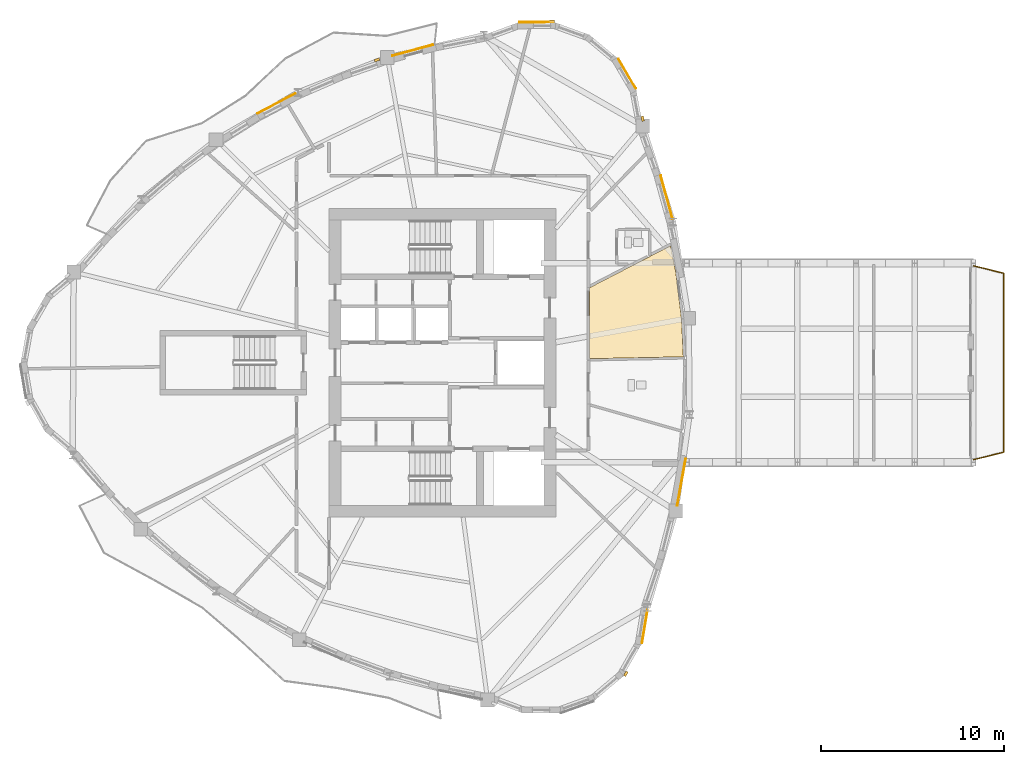
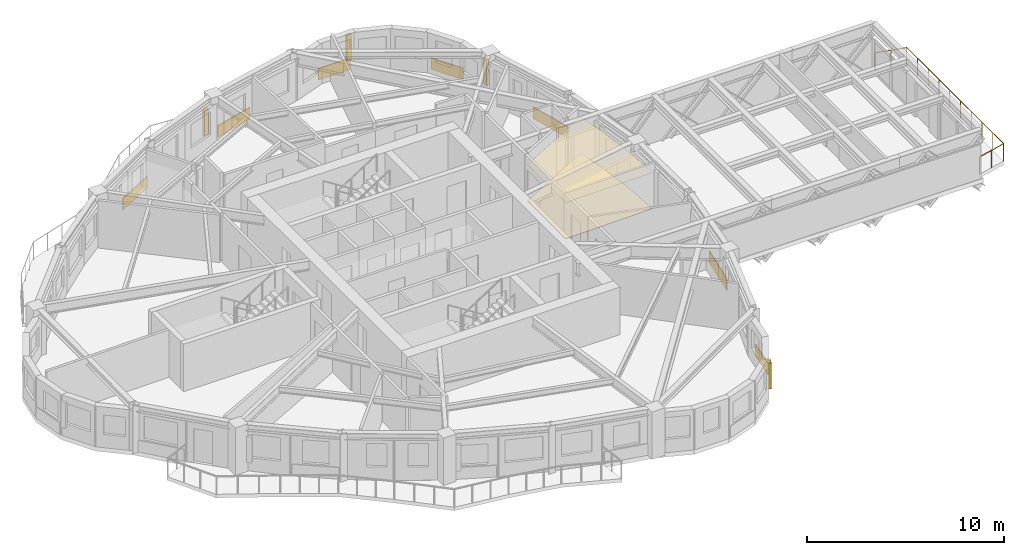
# One storey, part 12 of 13: 9 coverings, 4 shading devices, 1 railing.
"""IFC4 building model written with IfcOpenShell, lengths in metres."""

from ifc_helpers import new_model, si_unit, direction, frame, origin, origin_2d, place, context, subcontext, project, spatial, polyline, rectangle, circle, outline, extrude, source, transform, mapped, material, layer, layer_set, type_object, element, save


model = new_model("IFC4")

# Units and contexts
model_context = context("Model", 3, precision=1e-05, world=origin(), true_north=direction((0.0, 1.0)))
body_context = subcontext(model_context, "Body", "Model", "MODEL_VIEW")
ifc_project = project(units=[si_unit("LENGTHUNIT", "METRE"), si_unit("AREAUNIT", "SQUARE_METRE"), si_unit("VOLUMEUNIT", "CUBIC_METRE"), si_unit("PLANEANGLEUNIT", "RADIAN"), si_unit("MASSUNIT", "GRAM", prefix="KILO")], contexts=[model_context])

# Site, building, storey
site_placement = place(None, origin())
site = spatial("IfcSite", under=ifc_project, at=site_placement, CompositionType="ELEMENT")
building_placement = place(site_placement, origin())
building = spatial("IfcBuilding", under=site, at=building_placement, Name="Qafzar Sky-Pleat Residences", CompositionType="ELEMENT")
storey_placement = place(building_placement, frame((0.0, 0.0, 155.39990234375)))
storey = spatial("IfcBuildingStorey", under=building, at=storey_placement, Name="L46", CompositionType="ELEMENT", Elevation=155.39990234375)

# Coverings
ifc_material_1 = material(Name="Perforated acoustic gypsum board ceiling")
ifc_layer_1 = layer(ifc_material_1, 0.02001953125)
ifc_layer_set_1 = layer_set([ifc_layer_1], Name="Perforated acoustic gypsum board ceiling")
covering_type_1 = type_object("IfcCoveringType", Name="COV-CEIL-ACOUSTIC", PredefinedType="CEILING", material=ifc_layer_set_1)
covering_1_placement = place(storey_placement, frame((0.0, 0.0, 2.239990234375)))
element("IfcCovering", 1, at=covering_1_placement, inside=storey, type_object=covering_type_1, Name="L46 Co-Living Lounge Acoustic Ceiling", PredefinedType="CEILING", context=body_context, shape_type="SweptSolid", body=[
    extrude(outline(polyline([(43.104736328125, 31.0078125), (43.42724609375, 28.40478515625), (43.5263671875, 26.322998046875), (38.389892578125, 26.220458984375), (38.389892578125, 30.101318359375), (42.825927734375, 32.401611328125), (43.104736328125, 31.0078125)])), origin(), (0.0, 0.0, 1.0), 0.02001953125),
])
ifc_material_2 = material(Name="Honed porcelain and Riyadh stone tile flooring", Category="masonry")
ifc_layer_2 = layer(ifc_material_2, 0.02001953125)
ifc_layer_set_2 = layer_set([ifc_layer_2], Name="Honed porcelain and Riyadh stone tile flooring")
covering_type_2 = type_object("IfcCoveringType", Name="COV-FLR-PORCELAIN", PredefinedType="FLOORING", material=ifc_layer_set_2)
covering_2_placement = place(storey_placement, origin())
element("IfcCovering", 2, at=covering_2_placement, inside=storey, type_object=covering_type_2, Name="L46 Co-Living Lounge Honed Stone Flooring", PredefinedType="FLOORING", context=body_context, shape_type="SweptSolid", body=[
    extrude(outline(polyline([(43.104736328125, 31.0078125), (43.42724609375, 28.40478515625), (43.5263671875, 26.322998046875), (38.389892578125, 26.220458984375), (38.389892578125, 30.101318359375), (42.825927734375, 32.401611328125), (43.104736328125, 31.0078125)])), origin(), (0.0, 0.0, 1.0), 0.02001953125),
])

# Shading devices
ifc_material_3 = material(Name="Honed Riyadh limestone solar fin", Category="masonry")
ifc_layer_3 = layer(ifc_material_3, 0.139892578125)
ifc_layer_set_3 = layer_set([ifc_layer_3], Name="Honed Riyadh limestone solar fin")
shading_device_type = type_object("IfcShadingDeviceType", Name="SHD-FIN-STONE", PredefinedType="SHUTTER", material=ifc_layer_set_3)
shared_shape_1 = source(origin(), body_context, "Body", "SweptSolid", [
    extrude(rectangle(XDim=0.139892578125, YDim=0.280029296875, at=origin_2d()), origin(), (0.0, 0.0, 1.0), 1.60009765625),
])
for number, where, z_axis, x_axis, name in (
    (3, (40.382080078125, 8.986572265625, 0.60009765625), (0.0, 0.0, 1.0), (0.86842169793, -0.495826335086, 0.0), "L46 Limestone Solar Fin 21"),
    (4, (41.303955078125, 39.34912109375, 0.60009765625), (0.0, 0.0, 1.0), (0.983236665958, 0.182333920912, 0.0), "L46 Limestone Solar Fin 33"),
    (5, (36.347412109375, 44.678466796875, 0.60009765625), (0.0, 0.0, 1.0), (-0.002393888715, 0.999997134644, 0.0), "L46 Limestone Solar Fin 37"),
    (6, (26.76708984375, 42.565185546875, 0.60009765625), (0.0, 0.0, 1.0), (-0.329563194249, 0.944133518628, 0.0), "L46 Limestone Solar Fin 41"),
):
    element("IfcShadingDevice", number, at=place(storey_placement, frame(where, z_axis=z_axis, x_axis=x_axis)), inside=storey, type_object=shading_device_type, Name=name, PredefinedType="SHUTTER", context=body_context, shape_type="MappedRepresentation", body=[
        mapped(shared_shape_1, transform((0.0, 0.0, 0.0), x_axis=(1.0, 0.0, 0.0), y_axis=(0.0, 1.0, 0.0), z_axis=(0.0, 0.0, 1.0), scale=1.0)),
    ])

# Coverings
ifc_material_4 = material(Name="Honed Riyadh Tuwaiq limestone cladding", Category="masonry")
ifc_layer_4 = layer(ifc_material_4, 0.044921875)
ifc_layer_set_4 = layer_set([ifc_layer_4], Name="Honed Riyadh Tuwaiq limestone cladding")
covering_type_3 = type_object("IfcCoveringType", Name="COV-CLAD-STONE", PredefinedType="CLADDING", material=ifc_layer_set_4)
shared_shape_2 = source(origin(), body_context, "Body", "SweptSolid", [
    extrude(rectangle(XDim=1.873046875, YDim=0.044921875, at=origin_2d()), origin(), (0.0, 0.0, 1.0), 0.719970703125),
])
for number, where, z_axis, x_axis, name in (
    (7, (40.456787109375, 41.802001953125, 0.02001953125), (0.0, 0.0, 1.0), (-0.506268159892, 0.862376107206, 0.0), "L46 Riyadh Limestone Spandrel Cladding 34"),
    (8, (35.497314453125, 44.63330078125, 0.02001953125), (0.0, 0.0, 1.0), (-0.999997113828, -0.002402568631, 0.0), "L46 Riyadh Limestone Spandrel Cladding 37"),
):
    element("IfcCovering", number, at=place(storey_placement, frame(where, z_axis=z_axis, x_axis=x_axis)), inside=storey, type_object=covering_type_3, Name=name, PredefinedType="CLADDING", context=body_context, shape_type="MappedRepresentation", body=[
        mapped(shared_shape_2, transform((0.0, 0.0, 0.0), x_axis=(1.0, 0.0, 0.0), y_axis=(0.0, 1.0, 0.0), z_axis=(0.0, 0.0, 1.0), scale=1.0)),
    ])
shared_shape_3 = source(origin(), body_context, "Body", "SweptSolid", [
    extrude(rectangle(XDim=1.845703125, YDim=0.044921875, at=origin_2d()), origin(), (0.0, 0.0, 1.0), 0.719970703125),
])
covering_3_placement = place(storey_placement, frame((41.414306640625, 11.5703125, 0.02001953125), z_axis=(0.0, 0.0, 1.0), x_axis=(0.165656211386, 0.986183562847, 0.0)))
element("IfcCovering", 9, at=covering_3_placement, inside=storey, type_object=covering_type_3, Name="L46 Riyadh Limestone Spandrel Cladding 22", PredefinedType="CLADDING", context=body_context, shape_type="MappedRepresentation", body=[
    mapped(shared_shape_3, transform((0.0, 0.0, 0.0), x_axis=(1.0, 0.0, 0.0), y_axis=(0.0, 1.0, 0.0), z_axis=(0.0, 0.0, 1.0), scale=1.0)),
])
shared_shape_4 = source(origin(), body_context, "Body", "SweptSolid", [
    extrude(rectangle(XDim=2.61669921875, YDim=0.044921875, at=origin_2d()), origin(), (0.0, 0.0, 1.0), 0.719970703125),
])
covering_4_placement = place(storey_placement, frame((43.42333984375, 19.4697265625, 0.02001953125), z_axis=(0.0, 0.0, 1.0), x_axis=(0.177174987341, 0.984179365695, 0.0)))
element("IfcCovering", 10, at=covering_4_placement, inside=storey, type_object=covering_type_3, Name="L46 Riyadh Limestone Spandrel Cladding 25", PredefinedType="CLADDING", context=body_context, shape_type="MappedRepresentation", body=[
    mapped(shared_shape_4, transform((0.0, 0.0, 0.0), x_axis=(1.0, 0.0, 0.0), y_axis=(0.0, 1.0, 0.0), z_axis=(0.0, 0.0, 1.0), scale=1.0)),
])
shared_shape_5 = source(origin(), body_context, "Body", "SweptSolid", [
    extrude(rectangle(XDim=2.47021484375, YDim=0.044921875, at=origin_2d()), origin(), (0.0, 0.0, 1.0), 0.719970703125),
])
covering_5_placement = place(storey_placement, frame((42.6142578125, 35.048095703125, 0.02001953125), z_axis=(0.0, 0.0, 1.0), x_axis=(-0.266371456108, 0.96387045155, 0.0)))
element("IfcCovering", 11, at=covering_5_placement, inside=storey, type_object=covering_type_3, Name="L46 Riyadh Limestone Spandrel Cladding 31", PredefinedType="CLADDING", context=body_context, shape_type="MappedRepresentation", body=[
    mapped(shared_shape_5, transform((0.0, 0.0, 0.0), x_axis=(1.0, 0.0, 0.0), y_axis=(0.0, 1.0, 0.0), z_axis=(0.0, 0.0, 1.0), scale=1.0)),
])
shared_shape_6 = source(origin(), body_context, "Body", "SweptSolid", [
    extrude(rectangle(XDim=2.3076171875, YDim=0.044921875, at=origin_2d()), origin(), (0.0, 0.0, 1.0), 0.719970703125),
])
covering_6_placement = place(storey_placement, frame((28.7177734375, 43.0908203125, 0.02001953125), z_axis=(0.0, 0.0, 1.0), x_axis=(-0.965457048735, -0.260562251771, 0.0)))
element("IfcCovering", 12, at=covering_6_placement, inside=storey, type_object=covering_type_3, Name="L46 Riyadh Limestone Spandrel Cladding 40", PredefinedType="CLADDING", context=body_context, shape_type="MappedRepresentation", body=[
    mapped(shared_shape_6, transform((0.0, 0.0, 0.0), x_axis=(1.0, 0.0, 0.0), y_axis=(0.0, 1.0, 0.0), z_axis=(0.0, 0.0, 1.0), scale=1.0)),
])
shared_shape_7 = source(origin(), body_context, "Body", "SweptSolid", [
    extrude(rectangle(XDim=2.349609375, YDim=0.044921875, at=origin_2d()), origin(), (0.0, 0.0, 1.0), 0.719970703125),
])
covering_7_placement = place(storey_placement, frame((21.2724609375, 40.18701171875, 0.02001953125), z_axis=(0.0, 0.0, 1.0), x_axis=(-0.884390901414, -0.466746969456, 0.0)))
element("IfcCovering", 13, at=covering_7_placement, inside=storey, type_object=covering_type_3, Name="L46 Riyadh Limestone Spandrel Cladding 43", PredefinedType="CLADDING", context=body_context, shape_type="MappedRepresentation", body=[
    mapped(shared_shape_7, transform((0.0, 0.0, 0.0), x_axis=(1.0, 0.0, 0.0), y_axis=(0.0, 1.0, 0.0), z_axis=(0.0, 0.0, 1.0), scale=1.0)),
])

# Railing
ifc_material_5 = material(Name="Laminated glass and bronze steel balustrade", Category="steel")
railing_type = type_object("IfcRailingType", Name="RAIL-BAL-1100", PredefinedType="BALUSTRADE", material=ifc_material_5)
shared_shape_8 = source(origin(), body_context, "Body", "SweptSolid", [
    extrude(circle(Radius=0.02392578125, at=origin_2d()), frame((0.0, 0.0, 1.076171875), z_axis=(0.971325348019, 0.23775421825, 0.0), x_axis=(-0.23775421825, 0.971325348019, 0.0)), (0.0, 0.0, 1.0), 1.68310546875),
    extrude(circle(Radius=0.02392578125, at=origin_2d()), frame((1.634765625, 0.400146484375, 1.076171875), z_axis=(0.0, 1.0, 0.0), x_axis=(-1.0, 0.0, 0.0)), (0.0, 0.0, 1.0), 9.7998046875),
    extrude(circle(Radius=0.02392578125, at=origin_2d()), frame((1.634765625, 10.199951171875, 1.076171875), z_axis=(-0.971325348019, 0.23775421825, 0.0), x_axis=(-0.23775421825, -0.971325348019, 0.0)), (0.0, 0.0, 1.0), 1.68310546875),
    extrude(circle(Radius=0.02099609375, at=origin_2d()), origin(), (0.0, 0.0, 1.0), 1.052001953125),
    extrude(circle(Radius=0.02099609375, at=origin_2d()), frame((0.8173828125, 0.2001953125, 0.0)), (0.0, 0.0, 1.0), 1.052001953125),
    extrude(circle(Radius=0.02099609375, at=origin_2d()), frame((1.634765625, 0.400146484375, 0.0)), (0.0, 0.0, 1.0), 1.052001953125),
    extrude(circle(Radius=0.02099609375, at=origin_2d()), frame((1.634765625, 1.489013671875, 0.0)), (0.0, 0.0, 1.0), 1.052001953125),
    extrude(circle(Radius=0.02099609375, at=origin_2d()), frame((1.634765625, 2.577880859375, 0.0)), (0.0, 0.0, 1.0), 1.052001953125),
    extrude(circle(Radius=0.02099609375, at=origin_2d()), frame((1.634765625, 3.666748046875, 0.0)), (0.0, 0.0, 1.0), 1.052001953125),
    extrude(circle(Radius=0.02099609375, at=origin_2d()), frame((1.634765625, 4.755615234375, 0.0)), (0.0, 0.0, 1.0), 1.052001953125),
    extrude(circle(Radius=0.02099609375, at=origin_2d()), frame((1.634765625, 5.844482421875, 0.0)), (0.0, 0.0, 1.0), 1.052001953125),
    extrude(circle(Radius=0.02099609375, at=origin_2d()), frame((1.634765625, 6.933349609375, 0.0)), (0.0, 0.0, 1.0), 1.052001953125),
    extrude(circle(Radius=0.02099609375, at=origin_2d()), frame((1.634765625, 8.022216796875, 0.0)), (0.0, 0.0, 1.0), 1.052001953125),
    extrude(circle(Radius=0.02099609375, at=origin_2d()), frame((1.634765625, 9.111083984375, 0.0)), (0.0, 0.0, 1.0), 1.052001953125),
    extrude(circle(Radius=0.02099609375, at=origin_2d()), frame((1.634765625, 10.199951171875, 0.0)), (0.0, 0.0, 1.0), 1.052001953125),
    extrude(circle(Radius=0.02099609375, at=origin_2d()), frame((0.8173828125, 10.39990234375, 0.0)), (0.0, 0.0, 1.0), 1.052001953125),
    extrude(circle(Radius=0.02099609375, at=origin_2d()), frame((0.0, 10.60009765625, 0.0)), (0.0, 0.0, 1.0), 1.052001953125),
])
railing_placement = place(storey_placement, frame((59.40771484375, 20.699951171875, 0.0)))
element("IfcRailing", 14, at=railing_placement, inside=storey, type_object=railing_type, Name="L46 SB-4 Tip Observation Balcony Balustrade", PredefinedType="BALUSTRADE", context=body_context, shape_type="MappedRepresentation", body=[
    mapped(shared_shape_8, transform((0.0, 0.0, 0.0), x_axis=(1.0, 0.0, 0.0), y_axis=(0.0, 1.0, 0.0), z_axis=(0.0, 0.0, 1.0), scale=1.0)),
])

save(model, "model.ifc")
